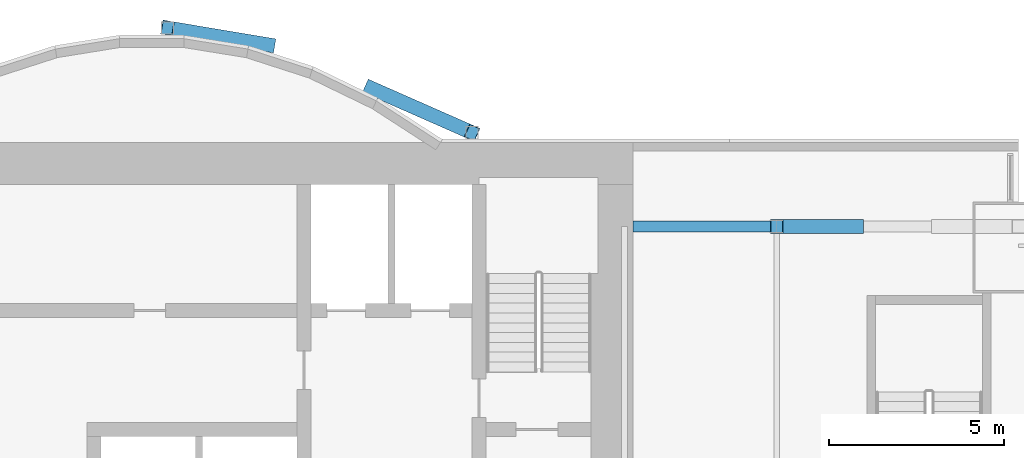
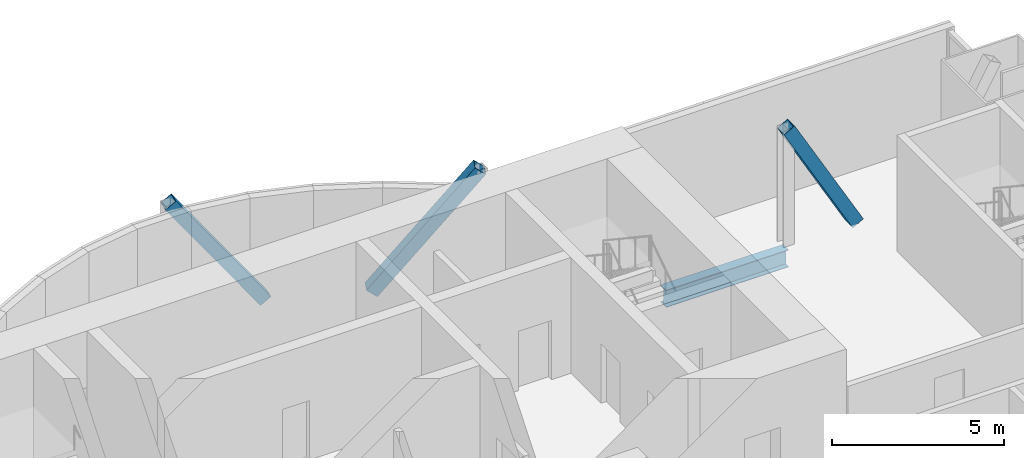
# One storey, part 11 of 20: 3 members, 1 beam.
"""IFC4 building model written with IfcOpenShell, lengths in metres."""

from ifc_helpers import new_model, si_unit, direction, frame, origin, origin_2d, place, context, subcontext, project, spatial, hollow_rectangle, i_section, extrude, material, material_profile, profile_set, type_object, element, save


model = new_model("IFC4")

# Units and contexts
model_context = context("Model", 3, precision=1e-05, world=origin(), true_north=direction((0.0, 1.0)))
body_context = subcontext(model_context, "Body", "Model", "MODEL_VIEW")
ifc_project = project(units=[si_unit("LENGTHUNIT", "METRE"), si_unit("AREAUNIT", "SQUARE_METRE"), si_unit("VOLUMEUNIT", "CUBIC_METRE"), si_unit("PLANEANGLEUNIT", "RADIAN"), si_unit("MASSUNIT", "GRAM", prefix="KILO")], contexts=[model_context])

# Site, building, storey
site_placement = place(None, origin())
site = spatial("IfcSite", under=ifc_project, at=site_placement, CompositionType="ELEMENT")
building_placement = place(site_placement, origin())
building = spatial("IfcBuilding", under=site, at=building_placement, Name="Bicima Exchange Tower", CompositionType="ELEMENT")
storey_placement = place(building_placement, frame((0.0, 0.0, 199.10009765625)))
storey = spatial("IfcBuildingStorey", under=building, at=storey_placement, Name="L44", CompositionType="ELEMENT", Elevation=199.10009765625)

# Members
ifc_material_1 = material(Name="Steel ASTM A572 Gr 50", Category="steel")
ifc_material_profile_1 = material_profile(ifc_material_1, hollow_rectangle(XDim=0.406494140625, YDim=0.406494140625, WallThickness=0.0146484375, at=origin_2d()))
ifc_profile_set_1 = profile_set([ifc_material_profile_1], Name="Steel ASTM A572 Gr 50")
member_type = type_object("IfcMemberType", Name="Mega brace HSS16x16x5/8", PredefinedType="BRACE", material=ifc_profile_set_1)
member_1_placement = place(storey_placement, frame((14.5, 1.55615234375, 0.0), z_axis=(0.559625363617, -0.246644113364, 0.79119285496), x_axis=(0.403298774981, 0.915068357063, 0.0)))
element("IfcMember", 1, at=member_1_placement, inside=storey, type_object=member_type, Name="Mega brace rexo", PredefinedType="BRACE", context=body_context, shape_type="SweptSolid", body=[
    extrude(hollow_rectangle(XDim=0.406494140625, YDim=0.406494140625, WallThickness=0.0146484375, at=origin_2d()), origin(), (0.0, 0.0, 1.0), 5.181884765625),
])
member_2_placement = place(storey_placement, frame((11.60009765625, 2.783203125, 0.0), z_axis=(-0.57481422557, 0.09629432687, 0.812598307096), x_axis=(-0.165220206918, -0.9862567025, 0.0)))
element("IfcMember", 2, at=member_2_placement, inside=storey, type_object=member_type, Name="Mega brace rexo", PredefinedType="BRACE", context=body_context, shape_type="SweptSolid", body=[
    extrude(hollow_rectangle(XDim=0.406494140625, YDim=0.406494140625, WallThickness=0.0146484375, at=origin_2d()), origin(), (0.0, 0.0, 1.0), 5.04541015625),
])
member_3_placement = place(storey_placement, frame((28.39990234375, -2.39990234375, 0.0), z_axis=(-0.48923266749, 0.0, 0.872153310526), x_axis=(0.0, -1.0, 0.0)))
element("IfcMember", 3, at=member_3_placement, inside=storey, type_object=member_type, Name="Mega brace rear", PredefinedType="BRACE", context=body_context, shape_type="SweptSolid", body=[
    extrude(hollow_rectangle(XDim=0.406494140625, YDim=0.406494140625, WallThickness=0.0146484375, at=origin_2d()), origin(), (0.0, 0.0, 1.0), 4.700927734375),
])

# Beam
ifc_material_2 = material(Name="Steel ASTM A992 Gr 50", Category="steel")
ifc_material_profile_2 = material_profile(ifc_material_2, i_section(OverallWidth=0.3251953125, OverallDepth=0.612060546875, WebThickness=0.0126953125, FlangeThickness=0.01904296875, at=origin_2d()))
ifc_profile_set_2 = profile_set([ifc_material_profile_2], Name="Steel ASTM A992 Gr 50")
beam_type = type_object("IfcBeamType", Name="Rear girder W24x104", PredefinedType="BEAM", material=ifc_profile_set_2)
beam_placement = place(storey_placement, frame((22.0, -2.39990234375, -0.456298828125), z_axis=(1.0, 0.0, 0.0), x_axis=(0.0, 1.0, 0.0)))
element("IfcBeam", 4, at=beam_placement, inside=storey, type_object=beam_type, Name="Rear girder", PredefinedType="BEAM", context=body_context, shape_type="SweptSolid", body=[
    extrude(i_section(OverallWidth=0.3251953125, OverallDepth=0.612060546875, WebThickness=0.0126953125, FlangeThickness=0.01904296875, at=origin_2d()), origin(), (0.0, 0.0, 1.0), 4.10009765625),
])

save(model, "model.ifc")
